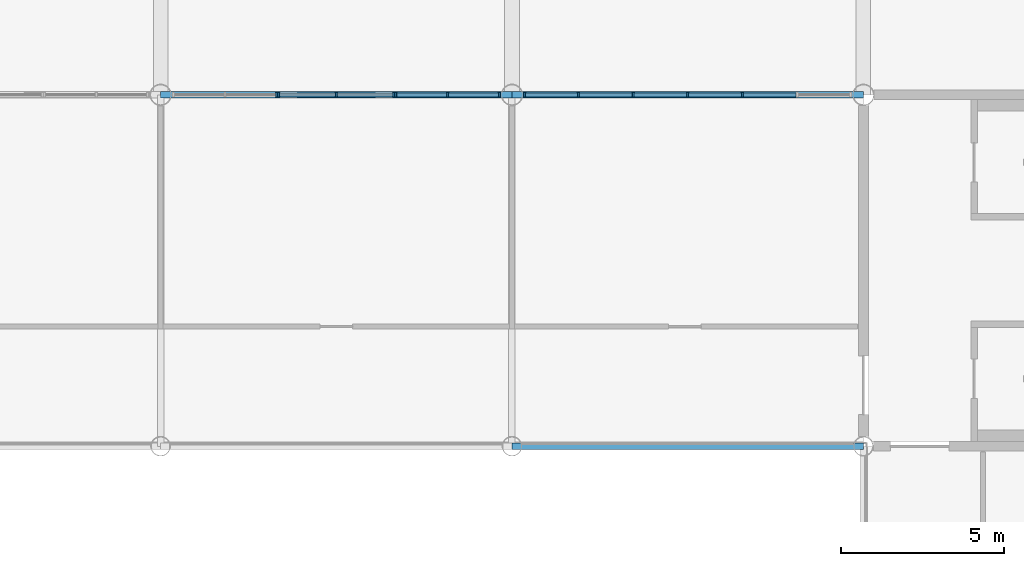
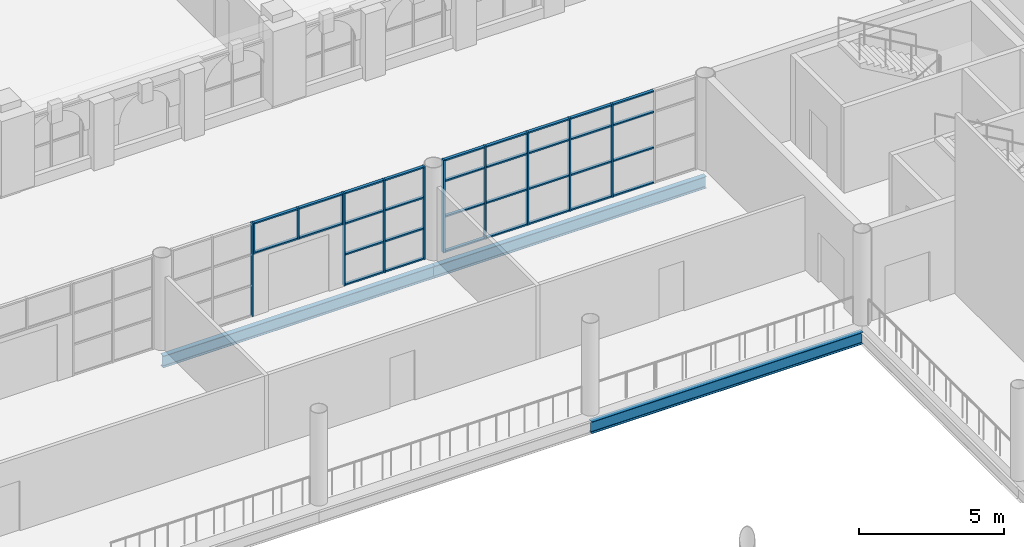
# One storey, part 26 of 95: 44 members, 3 beams, 4 elements without a shape of their own.
"""IFC4 building model written with IfcOpenShell, lengths in metres."""

from ifc_helpers import new_model, si_unit, direction, frame, origin, origin_2d, place, context, subcontext, project, spatial, rectangle, i_section, extrude, material, layer, layer_set, material_profile, profile_set, type_object, element, aggregate, save


model = new_model("IFC4")

# Units and contexts
model_context = context("Model", 3, precision=1e-05, world=origin(), true_north=direction((0.0, 1.0)))
body_context = subcontext(model_context, "Body", "Model", "MODEL_VIEW")
ifc_project = project(units=[si_unit("LENGTHUNIT", "METRE"), si_unit("AREAUNIT", "SQUARE_METRE"), si_unit("VOLUMEUNIT", "CUBIC_METRE"), si_unit("PLANEANGLEUNIT", "RADIAN"), si_unit("MASSUNIT", "GRAM", prefix="KILO")], contexts=[model_context])

# Site, building, storey
site_placement = place(None, origin())
site = spatial("IfcSite", under=ifc_project, at=site_placement, CompositionType="ELEMENT")
building_placement = place(site_placement, origin())
building = spatial("IfcBuilding", under=site, at=building_placement, Name="Magnolia Steps Interchange", CompositionType="ELEMENT")
storey_placement = place(building_placement, frame((0.0, 0.0, 4.800048828125)))
storey = spatial("IfcBuildingStorey", under=building, at=storey_placement, Name="L01", CompositionType="ELEMENT", Elevation=4.800048828125)

# Curtain wall, member
ifc_material_1 = material(Name="Powder-coated aluminium and glass", Category="aluminium")
ifc_layer = layer(ifc_material_1, 0.14990234375)
ifc_layer_set = layer_set([ifc_layer], Name="Glazed hall curtain wall")
curtain_wall_type = type_object("IfcCurtainWallType", Name="Glazed hall curtain wall", PredefinedType="NOTDEFINED", material=ifc_layer_set)
curtain_wall_1_placement = place(storey_placement, origin())
curtain_wall_1 = element("IfcCurtainWall", 1, at=curtain_wall_1_placement, inside=storey, type_object=curtain_wall_type, Name="Hall glazing N4a L01", PredefinedType="NOTDEFINED")
ifc_material_2 = material(Name="White powder-coated aluminium", Category="aluminium")
ifc_material_profile_1 = material_profile(ifc_material_2, rectangle(XDim=0.06005859375, YDim=0.14990234375, at=origin_2d()), Name="Aluminium mullion 60 x 150")
ifc_profile_set_1 = profile_set([ifc_material_profile_1], Name="White powder-coated aluminium")
member_type_1 = type_object("IfcMemberType", Name="Aluminium mullion 60 x 150", PredefinedType="MULLION", material=ifc_profile_set_1)
member_1_placement = place(storey_placement, frame((89.169921875, 85.60009765625, 0.0), z_axis=(0.0, 0.0, 1.0), x_axis=(1.0, 0.0, 0.0)))
member_1 = element("IfcMember", 2, at=member_1_placement, type_object=member_type_1, Name="CW1 mullion 3", PredefinedType="MULLION", context=body_context, shape_type="SweptSolid", body=[
    extrude(rectangle(XDim=0.06005859375, YDim=0.14990234375, at=origin_2d()), origin(), (0.0, 0.0, 1.0), 3.89990234375),
])
aggregate(curtain_wall_1, [member_1])

# Curtain wall, members
curtain_wall_2_placement = place(storey_placement, origin())
curtain_wall_2 = element("IfcCurtainWall", 3, at=curtain_wall_2_placement, inside=storey, type_object=curtain_wall_type, Name="Hall entrance fanlight N4", PredefinedType="NOTDEFINED")
member_2_placement = place(storey_placement, frame((89.22998046875, 85.60009765625, 2.599853515625), z_axis=(0.0, 0.0, 1.0), x_axis=(1.0, 0.0, 0.0)))
member_2 = element("IfcMember", 4, at=member_2_placement, type_object=member_type_1, Name="CW1 mullion 1", PredefinedType="MULLION", context=body_context, shape_type="SweptSolid", body=[
    extrude(rectangle(XDim=0.06005859375, YDim=0.14990234375, at=origin_2d()), origin(), (0.0, 0.0, 1.0), 1.300048828125),
])
member_3_placement = place(storey_placement, frame((91.0, 85.60009765625, 2.599853515625), z_axis=(0.0, 0.0, 1.0), x_axis=(1.0, 0.0, 0.0)))
member_3 = element("IfcMember", 5, at=member_3_placement, type_object=member_type_1, Name="CW1 mullion 2", PredefinedType="MULLION", context=body_context, shape_type="SweptSolid", body=[
    extrude(rectangle(XDim=0.06005859375, YDim=0.14990234375, at=origin_2d()), origin(), (0.0, 0.0, 1.0), 1.300048828125),
])
member_4_placement = place(storey_placement, frame((92.77001953125, 85.60009765625, 2.599853515625), z_axis=(0.0, 0.0, 1.0), x_axis=(1.0, 0.0, 0.0)))
member_4 = element("IfcMember", 6, at=member_4_placement, type_object=member_type_1, Name="CW1 mullion 3", PredefinedType="MULLION", context=body_context, shape_type="SweptSolid", body=[
    extrude(rectangle(XDim=0.06005859375, YDim=0.14990234375, at=origin_2d()), origin(), (0.0, 0.0, 1.0), 1.300048828125),
])

curtain_wall_3_placement = place(storey_placement, origin())
curtain_wall_3 = element("IfcCurtainWall", 7, at=curtain_wall_3_placement, inside=storey, type_object=curtain_wall_type, Name="Hall glazing N4z L01", PredefinedType="NOTDEFINED")
member_5_placement = place(storey_placement, frame((92.830078125, 85.60009765625, 0.0), z_axis=(0.0, 0.0, 1.0), x_axis=(1.0, 0.0, 0.0)))
member_5 = element("IfcMember", 8, at=member_5_placement, type_object=member_type_1, Name="CW1 mullion 1", PredefinedType="MULLION", context=body_context, shape_type="SweptSolid", body=[
    extrude(rectangle(XDim=0.06005859375, YDim=0.14990234375, at=origin_2d()), origin(), (0.0, 0.0, 1.0), 3.89990234375),
])
member_6_placement = place(storey_placement, frame((94.419921875, 85.60009765625, 0.0), z_axis=(0.0, 0.0, 1.0), x_axis=(1.0, 0.0, 0.0)))
member_6 = element("IfcMember", 9, at=member_6_placement, type_object=member_type_1, Name="CW1 mullion 2", PredefinedType="MULLION", context=body_context, shape_type="SweptSolid", body=[
    extrude(rectangle(XDim=0.06005859375, YDim=0.14990234375, at=origin_2d()), origin(), (0.0, 0.0, 1.0), 3.89990234375),
])
member_7_placement = place(storey_placement, frame((96.010009765625, 85.60009765625, 0.0), z_axis=(0.0, 0.0, 1.0), x_axis=(1.0, 0.0, 0.0)))
member_7 = element("IfcMember", 10, at=member_7_placement, type_object=member_type_1, Name="CW1 mullion 3", PredefinedType="MULLION", context=body_context, shape_type="SweptSolid", body=[
    extrude(rectangle(XDim=0.06005859375, YDim=0.14990234375, at=origin_2d()), origin(), (0.0, 0.0, 1.0), 3.89990234375),
])

curtain_wall_4_placement = place(storey_placement, origin())
curtain_wall_4 = element("IfcCurtainWall", 11, at=curtain_wall_4_placement, inside=storey, type_object=curtain_wall_type, Name="Hall glazing N5 L01", PredefinedType="NOTDEFINED")
member_8_placement = place(storey_placement, frame((96.7900390625, 85.60009765625, 0.0), z_axis=(0.0, 0.0, 1.0), x_axis=(1.0, 0.0, 0.0)))
member_8 = element("IfcMember", 12, at=member_8_placement, type_object=member_type_1, Name="CW1 mullion 1", PredefinedType="MULLION", context=body_context, shape_type="SweptSolid", body=[
    extrude(rectangle(XDim=0.06005859375, YDim=0.14990234375, at=origin_2d()), origin(), (0.0, 0.0, 1.0), 3.89990234375),
])
member_9_placement = place(storey_placement, frame((98.43994140625, 85.60009765625, 0.0), z_axis=(0.0, 0.0, 1.0), x_axis=(1.0, 0.0, 0.0)))
member_9 = element("IfcMember", 13, at=member_9_placement, type_object=member_type_1, Name="CW1 mullion 2", PredefinedType="MULLION", context=body_context, shape_type="SweptSolid", body=[
    extrude(rectangle(XDim=0.06005859375, YDim=0.14990234375, at=origin_2d()), origin(), (0.0, 0.0, 1.0), 3.89990234375),
])
member_10_placement = place(storey_placement, frame((100.1201171875, 85.60009765625, 0.0), z_axis=(0.0, 0.0, 1.0), x_axis=(1.0, 0.0, 0.0)))
member_10 = element("IfcMember", 14, at=member_10_placement, type_object=member_type_1, Name="CW1 mullion 3", PredefinedType="MULLION", context=body_context, shape_type="SweptSolid", body=[
    extrude(rectangle(XDim=0.06005859375, YDim=0.14990234375, at=origin_2d()), origin(), (0.0, 0.0, 1.0), 3.89990234375),
])
member_11_placement = place(storey_placement, frame((101.800048828125, 85.60009765625, 0.0), z_axis=(0.0, 0.0, 1.0), x_axis=(1.0, 0.0, 0.0)))
member_11 = element("IfcMember", 15, at=member_11_placement, type_object=member_type_1, Name="CW1 mullion 4", PredefinedType="MULLION", context=body_context, shape_type="SweptSolid", body=[
    extrude(rectangle(XDim=0.06005859375, YDim=0.14990234375, at=origin_2d()), origin(), (0.0, 0.0, 1.0), 3.89990234375),
])
member_12_placement = place(storey_placement, frame((103.47998046875, 85.60009765625, 0.0), z_axis=(0.0, 0.0, 1.0), x_axis=(1.0, 0.0, 0.0)))
member_12 = element("IfcMember", 16, at=member_12_placement, type_object=member_type_1, Name="CW1 mullion 5", PredefinedType="MULLION", context=body_context, shape_type="SweptSolid", body=[
    extrude(rectangle(XDim=0.06005859375, YDim=0.14990234375, at=origin_2d()), origin(), (0.0, 0.0, 1.0), 3.89990234375),
])

# Member
ifc_material_3 = material(Name="White powder-coated aluminium", Category="aluminium")
ifc_material_profile_2 = material_profile(ifc_material_3, rectangle(XDim=0.06005859375, YDim=0.1201171875, at=origin_2d()), Name="Aluminium transom 60 x 120")
ifc_profile_set_2 = profile_set([ifc_material_profile_2], Name="White powder-coated aluminium")
member_type_2 = type_object("IfcMemberType", Name="Aluminium transom 60 x 120", PredefinedType="USERDEFINED", material=ifc_profile_set_2)
member_13_placement = place(storey_placement, frame((89.260009765625, 85.60009765625, 2.6298828125), z_axis=(1.0, 0.0, 0.0), x_axis=(0.0, 0.0, 1.0)))
member_13 = element("IfcMember", 17, at=member_13_placement, type_object=member_type_2, Name="CW1 transom 1.1", ObjectType="TRANSOM", PredefinedType="USERDEFINED", context=body_context, shape_type="SweptSolid", body=[
    extrude(rectangle(XDim=0.06005859375, YDim=0.1201171875, at=origin_2d()), origin(), (0.0, 0.0, 1.0), 1.7099609375),
])

member_14_placement = place(storey_placement, frame((89.260009765625, 85.60009765625, 3.869873046875), z_axis=(1.0, 0.0, 0.0), x_axis=(0.0, 0.0, 1.0)))
member_14 = element("IfcMember", 18, at=member_14_placement, type_object=member_type_2, Name="CW1 transom 1.2", ObjectType="TRANSOM", PredefinedType="USERDEFINED", context=body_context, shape_type="SweptSolid", body=[
    extrude(rectangle(XDim=0.06005859375, YDim=0.1201171875, at=origin_2d()), origin(), (0.0, 0.0, 1.0), 1.7099609375),
])

member_15_placement = place(storey_placement, frame((91.030029296875, 85.60009765625, 2.6298828125), z_axis=(1.0, 0.0, 0.0), x_axis=(0.0, 0.0, 1.0)))
member_15 = element("IfcMember", 19, at=member_15_placement, type_object=member_type_2, Name="CW1 transom 2.1", ObjectType="TRANSOM", PredefinedType="USERDEFINED", context=body_context, shape_type="SweptSolid", body=[
    extrude(rectangle(XDim=0.06005859375, YDim=0.1201171875, at=origin_2d()), origin(), (0.0, 0.0, 1.0), 1.7099609375),
])

member_16_placement = place(storey_placement, frame((91.030029296875, 85.60009765625, 3.869873046875), z_axis=(1.0, 0.0, 0.0), x_axis=(0.0, 0.0, 1.0)))
member_16 = element("IfcMember", 20, at=member_16_placement, type_object=member_type_2, Name="CW1 transom 2.2", ObjectType="TRANSOM", PredefinedType="USERDEFINED", context=body_context, shape_type="SweptSolid", body=[
    extrude(rectangle(XDim=0.06005859375, YDim=0.1201171875, at=origin_2d()), origin(), (0.0, 0.0, 1.0), 1.7099609375),
])

aggregate(curtain_wall_2, [member_2, member_3, member_4, member_13, member_14, member_15, member_16])

member_17_placement = place(storey_placement, frame((92.860107421875, 85.60009765625, 0.030029296875), z_axis=(1.0, 0.0, 0.0), x_axis=(0.0, 0.0, 1.0)))
member_17 = element("IfcMember", 21, at=member_17_placement, type_object=member_type_2, Name="CW1 transom 1.1", ObjectType="TRANSOM", PredefinedType="USERDEFINED", context=body_context, shape_type="SweptSolid", body=[
    extrude(rectangle(XDim=0.06005859375, YDim=0.1201171875, at=origin_2d()), origin(), (0.0, 0.0, 1.0), 1.52978515625),
])

member_18_placement = place(storey_placement, frame((92.860107421875, 85.60009765625, 1.300048828125), z_axis=(1.0, 0.0, 0.0), x_axis=(0.0, 0.0, 1.0)))
member_18 = element("IfcMember", 22, at=member_18_placement, type_object=member_type_2, Name="CW1 transom 1.2", ObjectType="TRANSOM", PredefinedType="USERDEFINED", context=body_context, shape_type="SweptSolid", body=[
    extrude(rectangle(XDim=0.06005859375, YDim=0.1201171875, at=origin_2d()), origin(), (0.0, 0.0, 1.0), 1.52978515625),
])

member_19_placement = place(storey_placement, frame((92.860107421875, 85.60009765625, 2.599853515625), z_axis=(1.0, 0.0, 0.0), x_axis=(0.0, 0.0, 1.0)))
member_19 = element("IfcMember", 23, at=member_19_placement, type_object=member_type_2, Name="CW1 transom 1.3", ObjectType="TRANSOM", PredefinedType="USERDEFINED", context=body_context, shape_type="SweptSolid", body=[
    extrude(rectangle(XDim=0.06005859375, YDim=0.1201171875, at=origin_2d()), origin(), (0.0, 0.0, 1.0), 1.52978515625),
])

member_20_placement = place(storey_placement, frame((92.860107421875, 85.60009765625, 3.869873046875), z_axis=(1.0, 0.0, 0.0), x_axis=(0.0, 0.0, 1.0)))
member_20 = element("IfcMember", 24, at=member_20_placement, type_object=member_type_2, Name="CW1 transom 1.4", ObjectType="TRANSOM", PredefinedType="USERDEFINED", context=body_context, shape_type="SweptSolid", body=[
    extrude(rectangle(XDim=0.06005859375, YDim=0.1201171875, at=origin_2d()), origin(), (0.0, 0.0, 1.0), 1.52978515625),
])

member_21_placement = place(storey_placement, frame((94.449951171875, 85.60009765625, 0.030029296875), z_axis=(1.0, 0.0, 0.0), x_axis=(0.0, 0.0, 1.0)))
member_21 = element("IfcMember", 25, at=member_21_placement, type_object=member_type_2, Name="CW1 transom 2.1", ObjectType="TRANSOM", PredefinedType="USERDEFINED", context=body_context, shape_type="SweptSolid", body=[
    extrude(rectangle(XDim=0.06005859375, YDim=0.1201171875, at=origin_2d()), origin(), (0.0, 0.0, 1.0), 1.530029296875),
])

member_22_placement = place(storey_placement, frame((94.449951171875, 85.60009765625, 1.300048828125), z_axis=(1.0, 0.0, 0.0), x_axis=(0.0, 0.0, 1.0)))
member_22 = element("IfcMember", 26, at=member_22_placement, type_object=member_type_2, Name="CW1 transom 2.2", ObjectType="TRANSOM", PredefinedType="USERDEFINED", context=body_context, shape_type="SweptSolid", body=[
    extrude(rectangle(XDim=0.06005859375, YDim=0.1201171875, at=origin_2d()), origin(), (0.0, 0.0, 1.0), 1.530029296875),
])

member_23_placement = place(storey_placement, frame((94.449951171875, 85.60009765625, 2.599853515625), z_axis=(1.0, 0.0, 0.0), x_axis=(0.0, 0.0, 1.0)))
member_23 = element("IfcMember", 27, at=member_23_placement, type_object=member_type_2, Name="CW1 transom 2.3", ObjectType="TRANSOM", PredefinedType="USERDEFINED", context=body_context, shape_type="SweptSolid", body=[
    extrude(rectangle(XDim=0.06005859375, YDim=0.1201171875, at=origin_2d()), origin(), (0.0, 0.0, 1.0), 1.530029296875),
])

member_24_placement = place(storey_placement, frame((94.449951171875, 85.60009765625, 3.869873046875), z_axis=(1.0, 0.0, 0.0), x_axis=(0.0, 0.0, 1.0)))
member_24 = element("IfcMember", 28, at=member_24_placement, type_object=member_type_2, Name="CW1 transom 2.4", ObjectType="TRANSOM", PredefinedType="USERDEFINED", context=body_context, shape_type="SweptSolid", body=[
    extrude(rectangle(XDim=0.06005859375, YDim=0.1201171875, at=origin_2d()), origin(), (0.0, 0.0, 1.0), 1.530029296875),
])

aggregate(curtain_wall_3, [member_5, member_6, member_7, member_17, member_18, member_19, member_20, member_21, member_22, member_23, member_24])

member_25_placement = place(storey_placement, frame((96.820068359375, 85.60009765625, 0.030029296875), z_axis=(1.0, 0.0, 0.0), x_axis=(0.0, 0.0, 1.0)))
member_25 = element("IfcMember", 29, at=member_25_placement, type_object=member_type_2, Name="CW1 transom 1.1", ObjectType="TRANSOM", PredefinedType="USERDEFINED", context=body_context, shape_type="SweptSolid", body=[
    extrude(rectangle(XDim=0.06005859375, YDim=0.1201171875, at=origin_2d()), origin(), (0.0, 0.0, 1.0), 1.58984375),
])

member_26_placement = place(storey_placement, frame((96.820068359375, 85.60009765625, 1.5), z_axis=(1.0, 0.0, 0.0), x_axis=(0.0, 0.0, 1.0)))
member_26 = element("IfcMember", 30, at=member_26_placement, type_object=member_type_2, Name="CW1 transom 1.2", ObjectType="TRANSOM", PredefinedType="USERDEFINED", context=body_context, shape_type="SweptSolid", body=[
    extrude(rectangle(XDim=0.06005859375, YDim=0.1201171875, at=origin_2d()), origin(), (0.0, 0.0, 1.0), 1.58984375),
])

member_27_placement = place(storey_placement, frame((96.820068359375, 85.60009765625, 3.0), z_axis=(1.0, 0.0, 0.0), x_axis=(0.0, 0.0, 1.0)))
member_27 = element("IfcMember", 31, at=member_27_placement, type_object=member_type_2, Name="CW1 transom 1.3", ObjectType="TRANSOM", PredefinedType="USERDEFINED", context=body_context, shape_type="SweptSolid", body=[
    extrude(rectangle(XDim=0.06005859375, YDim=0.1201171875, at=origin_2d()), origin(), (0.0, 0.0, 1.0), 1.58984375),
])

member_28_placement = place(storey_placement, frame((96.820068359375, 85.60009765625, 3.869873046875), z_axis=(1.0, 0.0, 0.0), x_axis=(0.0, 0.0, 1.0)))
member_28 = element("IfcMember", 32, at=member_28_placement, type_object=member_type_2, Name="CW1 transom 1.4", ObjectType="TRANSOM", PredefinedType="USERDEFINED", context=body_context, shape_type="SweptSolid", body=[
    extrude(rectangle(XDim=0.06005859375, YDim=0.1201171875, at=origin_2d()), origin(), (0.0, 0.0, 1.0), 1.58984375),
])

member_29_placement = place(storey_placement, frame((98.469970703125, 85.60009765625, 0.030029296875), z_axis=(1.0, 0.0, 0.0), x_axis=(0.0, 0.0, 1.0)))
member_29 = element("IfcMember", 33, at=member_29_placement, type_object=member_type_2, Name="CW1 transom 2.1", ObjectType="TRANSOM", PredefinedType="USERDEFINED", context=body_context, shape_type="SweptSolid", body=[
    extrude(rectangle(XDim=0.06005859375, YDim=0.1201171875, at=origin_2d()), origin(), (0.0, 0.0, 1.0), 1.6201171875),
])

member_30_placement = place(storey_placement, frame((98.469970703125, 85.60009765625, 1.5), z_axis=(1.0, 0.0, 0.0), x_axis=(0.0, 0.0, 1.0)))
member_30 = element("IfcMember", 34, at=member_30_placement, type_object=member_type_2, Name="CW1 transom 2.2", ObjectType="TRANSOM", PredefinedType="USERDEFINED", context=body_context, shape_type="SweptSolid", body=[
    extrude(rectangle(XDim=0.06005859375, YDim=0.1201171875, at=origin_2d()), origin(), (0.0, 0.0, 1.0), 1.6201171875),
])

member_31_placement = place(storey_placement, frame((98.469970703125, 85.60009765625, 3.0), z_axis=(1.0, 0.0, 0.0), x_axis=(0.0, 0.0, 1.0)))
member_31 = element("IfcMember", 35, at=member_31_placement, type_object=member_type_2, Name="CW1 transom 2.3", ObjectType="TRANSOM", PredefinedType="USERDEFINED", context=body_context, shape_type="SweptSolid", body=[
    extrude(rectangle(XDim=0.06005859375, YDim=0.1201171875, at=origin_2d()), origin(), (0.0, 0.0, 1.0), 1.6201171875),
])

member_32_placement = place(storey_placement, frame((98.469970703125, 85.60009765625, 3.869873046875), z_axis=(1.0, 0.0, 0.0), x_axis=(0.0, 0.0, 1.0)))
member_32 = element("IfcMember", 36, at=member_32_placement, type_object=member_type_2, Name="CW1 transom 2.4", ObjectType="TRANSOM", PredefinedType="USERDEFINED", context=body_context, shape_type="SweptSolid", body=[
    extrude(rectangle(XDim=0.06005859375, YDim=0.1201171875, at=origin_2d()), origin(), (0.0, 0.0, 1.0), 1.6201171875),
])

member_33_placement = place(storey_placement, frame((100.14990234375, 85.60009765625, 0.030029296875), z_axis=(1.0, 0.0, 0.0), x_axis=(0.0, 0.0, 1.0)))
member_33 = element("IfcMember", 37, at=member_33_placement, type_object=member_type_2, Name="CW1 transom 3.1", ObjectType="TRANSOM", PredefinedType="USERDEFINED", context=body_context, shape_type="SweptSolid", body=[
    extrude(rectangle(XDim=0.06005859375, YDim=0.1201171875, at=origin_2d()), origin(), (0.0, 0.0, 1.0), 1.6201171875),
])

member_34_placement = place(storey_placement, frame((100.14990234375, 85.60009765625, 1.5), z_axis=(1.0, 0.0, 0.0), x_axis=(0.0, 0.0, 1.0)))
member_34 = element("IfcMember", 38, at=member_34_placement, type_object=member_type_2, Name="CW1 transom 3.2", ObjectType="TRANSOM", PredefinedType="USERDEFINED", context=body_context, shape_type="SweptSolid", body=[
    extrude(rectangle(XDim=0.06005859375, YDim=0.1201171875, at=origin_2d()), origin(), (0.0, 0.0, 1.0), 1.6201171875),
])

member_35_placement = place(storey_placement, frame((100.14990234375, 85.60009765625, 3.0), z_axis=(1.0, 0.0, 0.0), x_axis=(0.0, 0.0, 1.0)))
member_35 = element("IfcMember", 39, at=member_35_placement, type_object=member_type_2, Name="CW1 transom 3.3", ObjectType="TRANSOM", PredefinedType="USERDEFINED", context=body_context, shape_type="SweptSolid", body=[
    extrude(rectangle(XDim=0.06005859375, YDim=0.1201171875, at=origin_2d()), origin(), (0.0, 0.0, 1.0), 1.6201171875),
])

member_36_placement = place(storey_placement, frame((100.14990234375, 85.60009765625, 3.869873046875), z_axis=(1.0, 0.0, 0.0), x_axis=(0.0, 0.0, 1.0)))
member_36 = element("IfcMember", 40, at=member_36_placement, type_object=member_type_2, Name="CW1 transom 3.4", ObjectType="TRANSOM", PredefinedType="USERDEFINED", context=body_context, shape_type="SweptSolid", body=[
    extrude(rectangle(XDim=0.06005859375, YDim=0.1201171875, at=origin_2d()), origin(), (0.0, 0.0, 1.0), 1.6201171875),
])

member_37_placement = place(storey_placement, frame((101.830078125, 85.60009765625, 0.030029296875), z_axis=(1.0, 0.0, 0.0), x_axis=(0.0, 0.0, 1.0)))
member_37 = element("IfcMember", 41, at=member_37_placement, type_object=member_type_2, Name="CW1 transom 4.1", ObjectType="TRANSOM", PredefinedType="USERDEFINED", context=body_context, shape_type="SweptSolid", body=[
    extrude(rectangle(XDim=0.06005859375, YDim=0.1201171875, at=origin_2d()), origin(), (0.0, 0.0, 1.0), 1.619873046875),
])

member_38_placement = place(storey_placement, frame((101.830078125, 85.60009765625, 1.5), z_axis=(1.0, 0.0, 0.0), x_axis=(0.0, 0.0, 1.0)))
member_38 = element("IfcMember", 42, at=member_38_placement, type_object=member_type_2, Name="CW1 transom 4.2", ObjectType="TRANSOM", PredefinedType="USERDEFINED", context=body_context, shape_type="SweptSolid", body=[
    extrude(rectangle(XDim=0.06005859375, YDim=0.1201171875, at=origin_2d()), origin(), (0.0, 0.0, 1.0), 1.619873046875),
])

member_39_placement = place(storey_placement, frame((101.830078125, 85.60009765625, 3.0), z_axis=(1.0, 0.0, 0.0), x_axis=(0.0, 0.0, 1.0)))
member_39 = element("IfcMember", 43, at=member_39_placement, type_object=member_type_2, Name="CW1 transom 4.3", ObjectType="TRANSOM", PredefinedType="USERDEFINED", context=body_context, shape_type="SweptSolid", body=[
    extrude(rectangle(XDim=0.06005859375, YDim=0.1201171875, at=origin_2d()), origin(), (0.0, 0.0, 1.0), 1.619873046875),
])

member_40_placement = place(storey_placement, frame((101.830078125, 85.60009765625, 3.869873046875), z_axis=(1.0, 0.0, 0.0), x_axis=(0.0, 0.0, 1.0)))
member_40 = element("IfcMember", 44, at=member_40_placement, type_object=member_type_2, Name="CW1 transom 4.4", ObjectType="TRANSOM", PredefinedType="USERDEFINED", context=body_context, shape_type="SweptSolid", body=[
    extrude(rectangle(XDim=0.06005859375, YDim=0.1201171875, at=origin_2d()), origin(), (0.0, 0.0, 1.0), 1.619873046875),
])

member_41_placement = place(storey_placement, frame((103.510009765625, 85.60009765625, 0.030029296875), z_axis=(1.0, 0.0, 0.0), x_axis=(0.0, 0.0, 1.0)))
member_41 = element("IfcMember", 45, at=member_41_placement, type_object=member_type_2, Name="CW1 transom 5.1", ObjectType="TRANSOM", PredefinedType="USERDEFINED", context=body_context, shape_type="SweptSolid", body=[
    extrude(rectangle(XDim=0.06005859375, YDim=0.1201171875, at=origin_2d()), origin(), (0.0, 0.0, 1.0), 1.619873046875),
])

member_42_placement = place(storey_placement, frame((103.510009765625, 85.60009765625, 1.5), z_axis=(1.0, 0.0, 0.0), x_axis=(0.0, 0.0, 1.0)))
member_42 = element("IfcMember", 46, at=member_42_placement, type_object=member_type_2, Name="CW1 transom 5.2", ObjectType="TRANSOM", PredefinedType="USERDEFINED", context=body_context, shape_type="SweptSolid", body=[
    extrude(rectangle(XDim=0.06005859375, YDim=0.1201171875, at=origin_2d()), origin(), (0.0, 0.0, 1.0), 1.619873046875),
])

member_43_placement = place(storey_placement, frame((103.510009765625, 85.60009765625, 3.0), z_axis=(1.0, 0.0, 0.0), x_axis=(0.0, 0.0, 1.0)))
member_43 = element("IfcMember", 47, at=member_43_placement, type_object=member_type_2, Name="CW1 transom 5.3", ObjectType="TRANSOM", PredefinedType="USERDEFINED", context=body_context, shape_type="SweptSolid", body=[
    extrude(rectangle(XDim=0.06005859375, YDim=0.1201171875, at=origin_2d()), origin(), (0.0, 0.0, 1.0), 1.619873046875),
])

member_44_placement = place(storey_placement, frame((103.510009765625, 85.60009765625, 3.869873046875), z_axis=(1.0, 0.0, 0.0), x_axis=(0.0, 0.0, 1.0)))
member_44 = element("IfcMember", 48, at=member_44_placement, type_object=member_type_2, Name="CW1 transom 5.4", ObjectType="TRANSOM", PredefinedType="USERDEFINED", context=body_context, shape_type="SweptSolid", body=[
    extrude(rectangle(XDim=0.06005859375, YDim=0.1201171875, at=origin_2d()), origin(), (0.0, 0.0, 1.0), 1.619873046875),
])

aggregate(curtain_wall_4, [member_8, member_9, member_10, member_11, member_12, member_25, member_26, member_27, member_28, member_29, member_30, member_31, member_32, member_33, member_34, member_35, member_36, member_37, member_38, member_39, member_40, member_41, member_42, member_43, member_44])

# Beams
ifc_material_4 = material(Name="Steel Q355B", Category="steel")
ifc_material_profile_3 = material_profile(ifc_material_4, i_section(OverallWidth=0.199951171875, OverallDepth=0.5, WebThickness=0.010009765625, FlangeThickness=0.01611328125, FilletRadius=0.02001953125, at=origin_2d()), Name="HN500x200")
ifc_profile_set_3 = profile_set([ifc_material_profile_3], Name="Steel Q355B")
beam_type = type_object("IfcBeamType", Name="Steel composite beam HN500x200", PredefinedType="BEAM", material=ifc_profile_set_3)
beam_1_placement = place(storey_placement, frame((96.39990234375, 74.800048828125, -0.650146484375), z_axis=(1.0, 0.0, 0.0), x_axis=(0.0, 1.0, 0.0)))
element("IfcBeam", 49, at=beam_1_placement, inside=storey, type_object=beam_type, Name="Beam L01 G 9-10", PredefinedType="BEAM", context=body_context, shape_type="SweptSolid", body=[
    extrude(i_section(OverallWidth=0.199951171875, OverallDepth=0.5, WebThickness=0.010009765625, FlangeThickness=0.01611328125, FilletRadius=0.02001953125, at=origin_2d()), origin(), (0.0, 0.0, 1.0), 10.800048828125),
])
beam_2_placement = place(storey_placement, frame((85.60009765625, 85.60009765625, -0.650146484375), z_axis=(1.0, 0.0, 0.0), x_axis=(0.0, 1.0, 0.0)))
element("IfcBeam", 50, at=beam_2_placement, inside=storey, type_object=beam_type, Name="Beam L01 H 8-9", PredefinedType="BEAM", context=body_context, shape_type="SweptSolid", body=[
    extrude(i_section(OverallWidth=0.199951171875, OverallDepth=0.5, WebThickness=0.010009765625, FlangeThickness=0.01611328125, FilletRadius=0.02001953125, at=origin_2d()), origin(), (0.0, 0.0, 1.0), 10.7998046875),
])
beam_3_placement = place(storey_placement, frame((96.39990234375, 85.60009765625, -0.650146484375), z_axis=(1.0, 0.0, 0.0), x_axis=(0.0, 1.0, 0.0)))
element("IfcBeam", 51, at=beam_3_placement, inside=storey, type_object=beam_type, Name="Beam L01 H 9-10", PredefinedType="BEAM", context=body_context, shape_type="SweptSolid", body=[
    extrude(i_section(OverallWidth=0.199951171875, OverallDepth=0.5, WebThickness=0.010009765625, FlangeThickness=0.01611328125, FilletRadius=0.02001953125, at=origin_2d()), origin(), (0.0, 0.0, 1.0), 10.800048828125),
])

save(model, "model.ifc")
